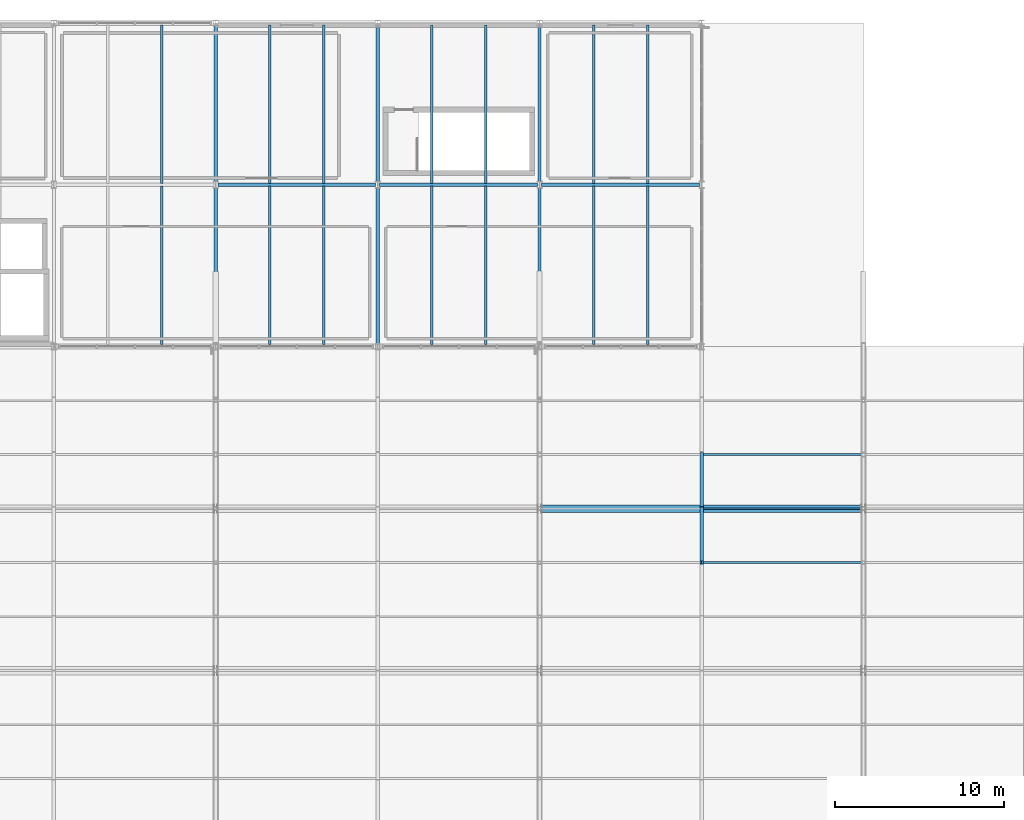
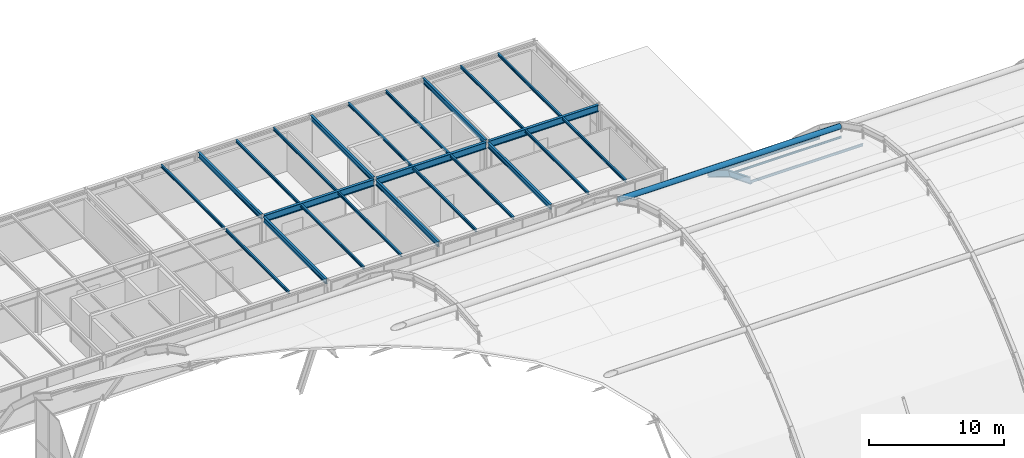
# One storey, part 85 of 126: 25 beams, 4 members.
"""IFC4 building model written with IfcOpenShell, lengths in metres."""

from ifc_helpers import new_model, si_unit, direction, frame, origin, origin_2d, place, context, subcontext, project, spatial, hollow_circle, i_section, extrude, material, material_profile, profile_set, type_object, element, save


model = new_model("IFC4")

# Units and contexts
model_context = context("Model", 3, precision=1e-05, world=origin(), true_north=direction((0.0, 1.0)))
body_context = subcontext(model_context, "Body", "Model", "MODEL_VIEW")
ifc_project = project(units=[si_unit("LENGTHUNIT", "METRE"), si_unit("AREAUNIT", "SQUARE_METRE"), si_unit("VOLUMEUNIT", "CUBIC_METRE"), si_unit("PLANEANGLEUNIT", "RADIAN"), si_unit("MASSUNIT", "GRAM", prefix="KILO")], contexts=[model_context])

# Site, building, storey
site_placement = place(None, origin())
site = spatial("IfcSite", under=ifc_project, at=site_placement, CompositionType="ELEMENT")
building_placement = place(site_placement, origin())
building = spatial("IfcBuilding", under=site, at=building_placement, Name="Coralgate Yard Interchange", CompositionType="ELEMENT")
storey_placement = place(building_placement, frame((0.0, 0.0, 10.5)))
storey = spatial("IfcBuildingStorey", under=building, at=storey_placement, Name="L02", CompositionType="ELEMENT", Elevation=10.5)

# Beams
ifc_material_1 = material(Name="Structural steel S355J2", Category="steel")
ifc_material_profile_1 = material_profile(ifc_material_1, i_section(OverallWidth=0.1904296875, OverallDepth=0.45703125, WebThickness=0.009033203125, FlangeThickness=0.014404296875, FilletRadius=0.01025390625, at=origin_2d()), Name="UB 457x191x74")
ifc_profile_set_1 = profile_set([ifc_material_profile_1], Name="Structural steel S355J2")
beam_type_1 = type_object("IfcBeamType", Name="BM-SB-2", PredefinedType="BEAM", material=ifc_profile_set_1)
for number, where, z_axis, x_axis, name in (
    (1, (67.199951171875, 76.93994140625, 3.721435546875), (0.0, 1.0, 0.0), (-1.0, 0.0, 0.0), "L02 primary grid girder X7 Y8-9"),
    (2, (67.199951171875, 86.570068359375, 3.721435546875), (0.0, 1.0, 0.0), (-1.0, 0.0, 0.0), "L02 primary grid girder X7 Y9-10"),
    (3, (76.800048828125, 76.93994140625, 3.721435546875), (0.0, 1.0, 0.0), (-1.0, 0.0, 0.0), "L02 primary grid girder X8 Y8-9"),
    (4, (76.800048828125, 86.570068359375, 3.721435546875), (0.0, 1.0, 0.0), (-1.0, 0.0, 0.0), "L02 primary grid girder X8 Y9-10"),
    (5, (86.39990234375, 76.93994140625, 3.721435546875), (0.0, 1.0, 0.0), (-1.0, 0.0, 0.0), "L02 primary grid girder X9 Y8-9"),
    (6, (86.39990234375, 86.570068359375, 3.721435546875), (0.0, 1.0, 0.0), (-1.0, 0.0, 0.0), "L02 primary grid girder X9 Y9-10"),
):
    element("IfcBeam", number, at=place(storey_placement, frame(where, z_axis=z_axis, x_axis=x_axis)), inside=storey, type_object=beam_type_1, Name=name, PredefinedType="BEAM", context=body_context, shape_type="SweptSolid", body=[
        extrude(i_section(OverallWidth=0.1904296875, OverallDepth=0.45703125, WebThickness=0.009033203125, FlangeThickness=0.014404296875, FilletRadius=0.01025390625, at=origin_2d()), origin(), (0.0, 0.0, 1.0), 9.2900390625),
    ])
ifc_material_profile_2 = material_profile(ifc_material_1, i_section(OverallWidth=0.228271484375, OverallDepth=0.607666015625, WebThickness=0.010986328125, FlangeThickness=0.017333984375, FilletRadius=0.0126953125, at=origin_2d()), Name="UB 610x229x113")
ifc_profile_set_2 = profile_set([ifc_material_profile_2], Name="Structural steel S355J2")
beam_type_2 = type_object("IfcBeamType", Name="BM-SG-5", PredefinedType="BEAM", material=ifc_profile_set_2)
beam_1_placement = place(storey_placement, frame((67.320068359375, 86.39990234375, 3.646240234375), z_axis=(1.0, 0.0, 0.0), x_axis=(0.0, 1.0, 0.0)))
element("IfcBeam", 7, at=beam_1_placement, inside=storey, type_object=beam_type_2, Name="L02 primary grid beam Y9 X7-8", PredefinedType="BEAM", context=body_context, shape_type="SweptSolid", body=[
    extrude(i_section(OverallWidth=0.228271484375, OverallDepth=0.607666015625, WebThickness=0.010986328125, FlangeThickness=0.017333984375, FilletRadius=0.0126953125, at=origin_2d()), origin(), (0.0, 0.0, 1.0), 9.35986328125),
])
beam_2_placement = place(storey_placement, frame((76.919921875, 86.39990234375, 3.646240234375), z_axis=(1.0, 0.0, 0.0), x_axis=(0.0, 1.0, 0.0)))
element("IfcBeam", 8, at=beam_2_placement, inside=storey, type_object=beam_type_2, Name="L02 primary grid beam Y9 X8-9", PredefinedType="BEAM", context=body_context, shape_type="SweptSolid", body=[
    extrude(i_section(OverallWidth=0.228271484375, OverallDepth=0.607666015625, WebThickness=0.010986328125, FlangeThickness=0.017333984375, FilletRadius=0.0126953125, at=origin_2d()), origin(), (0.0, 0.0, 1.0), 9.360107421875),
])
beam_3_placement = place(storey_placement, frame((86.52001953125, 86.39990234375, 3.646240234375), z_axis=(1.0, 0.0, 0.0), x_axis=(0.0, 1.0, 0.0)))
element("IfcBeam", 9, at=beam_3_placement, inside=storey, type_object=beam_type_2, Name="L02 primary grid beam Y9 X9-10", PredefinedType="BEAM", context=body_context, shape_type="SweptSolid", body=[
    extrude(i_section(OverallWidth=0.228271484375, OverallDepth=0.607666015625, WebThickness=0.010986328125, FlangeThickness=0.017333984375, FilletRadius=0.0126953125, at=origin_2d()), origin(), (0.0, 0.0, 1.0), 9.35986328125),
])
ifc_material_profile_3 = material_profile(ifc_material_1, i_section(OverallWidth=0.14599609375, OverallDepth=0.25146484375, WebThickness=0.006103515625, FlangeThickness=0.008544921875, FilletRadius=0.007568359375, at=origin_2d()), Name="UB 254x146x31")
ifc_profile_set_3 = profile_set([ifc_material_profile_3], Name="Structural steel S355J2")
beam_type_3 = type_object("IfcBeamType", Name="BM-SJ-2", PredefinedType="JOIST", material=ifc_profile_set_3)
beam_4_placement = place(storey_placement, frame((64.0, 76.919921875, 3.82421875), z_axis=(0.0, 1.0, 0.0), x_axis=(-1.0, 0.0, 0.0)))
element("IfcBeam", 10, at=beam_4_placement, inside=storey, type_object=beam_type_3, Name="L02 composite floor joist 6-8-2", PredefinedType="JOIST", context=body_context, shape_type="SweptSolid", body=[
    extrude(i_section(OverallWidth=0.14599609375, OverallDepth=0.25146484375, WebThickness=0.006103515625, FlangeThickness=0.008544921875, FilletRadius=0.007568359375, at=origin_2d()), origin(), (0.0, 0.0, 1.0), 9.39599609375),
])
beam_5_placement = place(storey_placement, frame((64.0, 86.484130859375, 3.82421875), z_axis=(0.0, 1.0, 0.0), x_axis=(-1.0, 0.0, 0.0)))
element("IfcBeam", 11, at=beam_5_placement, inside=storey, type_object=beam_type_3, Name="L02 composite floor joist 6-9-2", PredefinedType="JOIST", context=body_context, shape_type="SweptSolid", body=[
    extrude(i_section(OverallWidth=0.14599609375, OverallDepth=0.25146484375, WebThickness=0.006103515625, FlangeThickness=0.008544921875, FilletRadius=0.007568359375, at=origin_2d()), origin(), (0.0, 0.0, 1.0), 9.395751953125),
])
for number, where, z_axis, x_axis, name in (
    (12, (70.39990234375, 76.919921875, 3.82421875), (0.0, 1.0, 0.0), (-1.0, 0.0, 0.0), "L02 composite floor joist 7-8-1"),
    (13, (73.60009765625, 76.919921875, 3.82421875), (0.0, 1.0, 0.0), (-1.0, 0.0, 0.0), "L02 composite floor joist 7-8-2"),
):
    element("IfcBeam", number, at=place(storey_placement, frame(where, z_axis=z_axis, x_axis=x_axis)), inside=storey, type_object=beam_type_3, Name=name, PredefinedType="JOIST", context=body_context, shape_type="SweptSolid", body=[
        extrude(i_section(OverallWidth=0.14599609375, OverallDepth=0.25146484375, WebThickness=0.006103515625, FlangeThickness=0.008544921875, FilletRadius=0.007568359375, at=origin_2d()), origin(), (0.0, 0.0, 1.0), 9.39599609375),
    ])
for number, where, z_axis, x_axis, name in (
    (14, (70.39990234375, 86.484130859375, 3.82421875), (0.0, 1.0, 0.0), (-1.0, 0.0, 0.0), "L02 composite floor joist 7-9-1"),
    (15, (73.60009765625, 86.484130859375, 3.82421875), (0.0, 1.0, 0.0), (-1.0, 0.0, 0.0), "L02 composite floor joist 7-9-2"),
):
    element("IfcBeam", number, at=place(storey_placement, frame(where, z_axis=z_axis, x_axis=x_axis)), inside=storey, type_object=beam_type_3, Name=name, PredefinedType="JOIST", context=body_context, shape_type="SweptSolid", body=[
        extrude(i_section(OverallWidth=0.14599609375, OverallDepth=0.25146484375, WebThickness=0.006103515625, FlangeThickness=0.008544921875, FilletRadius=0.007568359375, at=origin_2d()), origin(), (0.0, 0.0, 1.0), 9.395751953125),
    ])
for number, where, z_axis, x_axis, name in (
    (16, (80.0, 76.919921875, 3.82421875), (0.0, 1.0, 0.0), (-1.0, 0.0, 0.0), "L02 composite floor joist 8-8-1"),
    (17, (83.199951171875, 76.919921875, 3.82421875), (0.0, 1.0, 0.0), (-1.0, 0.0, 0.0), "L02 composite floor joist 8-8-2"),
):
    element("IfcBeam", number, at=place(storey_placement, frame(where, z_axis=z_axis, x_axis=x_axis)), inside=storey, type_object=beam_type_3, Name=name, PredefinedType="JOIST", context=body_context, shape_type="SweptSolid", body=[
        extrude(i_section(OverallWidth=0.14599609375, OverallDepth=0.25146484375, WebThickness=0.006103515625, FlangeThickness=0.008544921875, FilletRadius=0.007568359375, at=origin_2d()), origin(), (0.0, 0.0, 1.0), 9.39599609375),
    ])
for number, where, z_axis, x_axis, name in (
    (18, (80.0, 86.484130859375, 3.82421875), (0.0, 1.0, 0.0), (-1.0, 0.0, 0.0), "L02 composite floor joist 8-9-1"),
    (19, (83.199951171875, 86.484130859375, 3.82421875), (0.0, 1.0, 0.0), (-1.0, 0.0, 0.0), "L02 composite floor joist 8-9-2"),
):
    element("IfcBeam", number, at=place(storey_placement, frame(where, z_axis=z_axis, x_axis=x_axis)), inside=storey, type_object=beam_type_3, Name=name, PredefinedType="JOIST", context=body_context, shape_type="SweptSolid", body=[
        extrude(i_section(OverallWidth=0.14599609375, OverallDepth=0.25146484375, WebThickness=0.006103515625, FlangeThickness=0.008544921875, FilletRadius=0.007568359375, at=origin_2d()), origin(), (0.0, 0.0, 1.0), 9.395751953125),
    ])
for number, where, z_axis, x_axis, name in (
    (20, (89.60009765625, 76.919921875, 3.82421875), (0.0, 1.0, 0.0), (-1.0, 0.0, 0.0), "L02 composite floor joist 9-8-1"),
    (21, (92.800048828125, 76.919921875, 3.82421875), (0.0, 1.0, 0.0), (-1.0, 0.0, 0.0), "L02 composite floor joist 9-8-2"),
):
    element("IfcBeam", number, at=place(storey_placement, frame(where, z_axis=z_axis, x_axis=x_axis)), inside=storey, type_object=beam_type_3, Name=name, PredefinedType="JOIST", context=body_context, shape_type="SweptSolid", body=[
        extrude(i_section(OverallWidth=0.14599609375, OverallDepth=0.25146484375, WebThickness=0.006103515625, FlangeThickness=0.008544921875, FilletRadius=0.007568359375, at=origin_2d()), origin(), (0.0, 0.0, 1.0), 9.39599609375),
    ])
for number, where, z_axis, x_axis, name in (
    (22, (89.60009765625, 86.484130859375, 3.82421875), (0.0, 1.0, 0.0), (-1.0, 0.0, 0.0), "L02 composite floor joist 9-9-1"),
    (23, (92.800048828125, 86.484130859375, 3.82421875), (0.0, 1.0, 0.0), (-1.0, 0.0, 0.0), "L02 composite floor joist 9-9-2"),
):
    element("IfcBeam", number, at=place(storey_placement, frame(where, z_axis=z_axis, x_axis=x_axis)), inside=storey, type_object=beam_type_3, Name=name, PredefinedType="JOIST", context=body_context, shape_type="SweptSolid", body=[
        extrude(i_section(OverallWidth=0.14599609375, OverallDepth=0.25146484375, WebThickness=0.006103515625, FlangeThickness=0.008544921875, FilletRadius=0.007568359375, at=origin_2d()), origin(), (0.0, 0.0, 1.0), 9.395751953125),
    ])
ifc_material_2 = material(Name="Weather-coated structural steel S355J2", Category="steel")
ifc_material_profile_4 = material_profile(ifc_material_2, i_section(OverallWidth=0.209228515625, OverallDepth=0.533203125, WebThickness=0.010009765625, FlangeThickness=0.015625, FilletRadius=0.0126953125, at=origin_2d()), Name="UB 533x210x92")
ifc_profile_set_4 = profile_set([ifc_material_profile_4], Name="Weather-coated structural steel S355J2")
beam_type_4 = type_object("IfcBeamType", Name="BM-VR-1", PredefinedType="BEAM", material=ifc_profile_set_4)
beam_6_placement = place(storey_placement, frame((96.0, 64.0, 10.58349609375), z_axis=(0.0, 0.927713244188, -0.373293633161), x_axis=(-1.0, 0.0, 0.0)))
element("IfcBeam", 24, at=beam_6_placement, inside=storey, type_object=beam_type_4, Name="Barrel-vault gridshell rib 7 seg 9", PredefinedType="BEAM", context=body_context, shape_type="SweptSolid", body=[
    extrude(i_section(OverallWidth=0.209228515625, OverallDepth=0.533203125, WebThickness=0.010009765625, FlangeThickness=0.015625, FilletRadius=0.0126953125, at=origin_2d()), origin(), (0.0, 0.0, 1.0), 3.44921875),
])
beam_7_placement = place(storey_placement, frame((96.0, 67.199951171875, 9.2958984375), z_axis=(0.0, 0.852378727212, -0.522924951973), x_axis=(-1.0, 0.0, 0.0)))
element("IfcBeam", 25, at=beam_7_placement, inside=storey, type_object=beam_type_4, Name="Barrel-vault gridshell rib 7 seg 10", PredefinedType="BEAM", context=body_context, shape_type="SweptSolid", body=[
    extrude(i_section(OverallWidth=0.209228515625, OverallDepth=0.533203125, WebThickness=0.010009765625, FlangeThickness=0.015625, FilletRadius=0.0126953125, at=origin_2d()), origin(), (0.0, 0.0, 1.0), 3.754150390625),
])

# Members
ifc_material_3 = material(Name="Yellow-ochre weather-coated structural steel S355J2", Category="steel")
ifc_material_profile_5 = material_profile(ifc_material_3, hollow_circle(Radius=0.228515625, WallThickness=0.01611328125, at=origin_2d()), Name="CHS 457x16")
ifc_profile_set_5 = profile_set([ifc_material_profile_5], Name="Yellow-ochre weather-coated structural steel S355J2")
member_type_1 = type_object("IfcMemberType", Name="MB-GC-7", PredefinedType="CHORD", material=ifc_profile_set_5)
member_1_placement = place(storey_placement, frame((86.52001953125, 67.199951171875, 10.25), z_axis=(1.0, 0.0, 0.0), x_axis=(0.0, 1.0, 0.0)))
element("IfcMember", 26, at=member_1_placement, inside=storey, type_object=member_type_1, Name="Arch longitudinal tie strut 3-N", PredefinedType="CHORD", context=body_context, shape_type="SweptSolid", body=[
    extrude(hollow_circle(Radius=0.228515625, WallThickness=0.01611328125, at=origin_2d()), origin(), (0.0, 0.0, 1.0), 18.9599609375),
])
ifc_material_profile_6 = material_profile(ifc_material_2, i_section(OverallWidth=0.110107421875, OverallDepth=0.219970703125, WebThickness=0.005859375, FlangeThickness=0.00927734375, FilletRadius=0.011962890625, at=origin_2d()), Name="IPE 220")
ifc_profile_set_6 = profile_set([ifc_material_profile_6], Name="Weather-coated structural steel S355J2")
member_type_2 = type_object("IfcMemberType", Name="MB-PR-1", PredefinedType="PURLIN", material=ifc_profile_set_6)
for number, where, z_axis, x_axis, name in (
    (27, (96.001953125, 64.0, 10.489990234375), (1.0, 0.0, 0.0), (0.0, 1.0, 0.0), "Barrel-vault gridshell purlin 7-9"),
    (28, (96.001953125, 70.39990234375, 7.2392578125), (1.0, 0.0, 0.0), (0.0, 1.0, 0.0), "Barrel-vault gridshell purlin 7-11"),
):
    element("IfcMember", number, at=place(storey_placement, frame(where, z_axis=z_axis, x_axis=x_axis)), inside=storey, type_object=member_type_2, Name=name, PredefinedType="PURLIN", context=body_context, shape_type="SweptSolid", body=[
        extrude(i_section(OverallWidth=0.110107421875, OverallDepth=0.219970703125, WebThickness=0.005859375, FlangeThickness=0.00927734375, FilletRadius=0.011962890625, at=origin_2d()), origin(), (0.0, 0.0, 1.0), 9.595947265625),
    ])
ifc_material_4 = material(Name="Off-white architectural structural steel S355J2", Category="steel")
ifc_material_profile_7 = material_profile(ifc_material_4, i_section(OverallWidth=0.091064453125, OverallDepth=0.179931640625, WebThickness=0.00537109375, FlangeThickness=0.008056640625, FilletRadius=0.009033203125, at=origin_2d()), Name="IPE 180")
ifc_profile_set_7 = profile_set([ifc_material_profile_7], Name="Off-white architectural structural steel S355J2")
member_type_3 = type_object("IfcMemberType", Name="MB-PR-2", PredefinedType="PURLIN", material=ifc_profile_set_7)
member_2_placement = place(storey_placement, frame((96.001953125, 67.199951171875, 9.242431640625), z_axis=(1.0, 0.0, 0.0), x_axis=(0.0, 1.0, 0.0)))
element("IfcMember", 29, at=member_2_placement, inside=storey, type_object=member_type_3, Name="Barrel-vault gridshell purlin 7-10", PredefinedType="PURLIN", context=body_context, shape_type="SweptSolid", body=[
    extrude(i_section(OverallWidth=0.091064453125, OverallDepth=0.179931640625, WebThickness=0.00537109375, FlangeThickness=0.008056640625, FilletRadius=0.009033203125, at=origin_2d()), origin(), (0.0, 0.0, 1.0), 9.595947265625),
])

save(model, "model.ifc")
